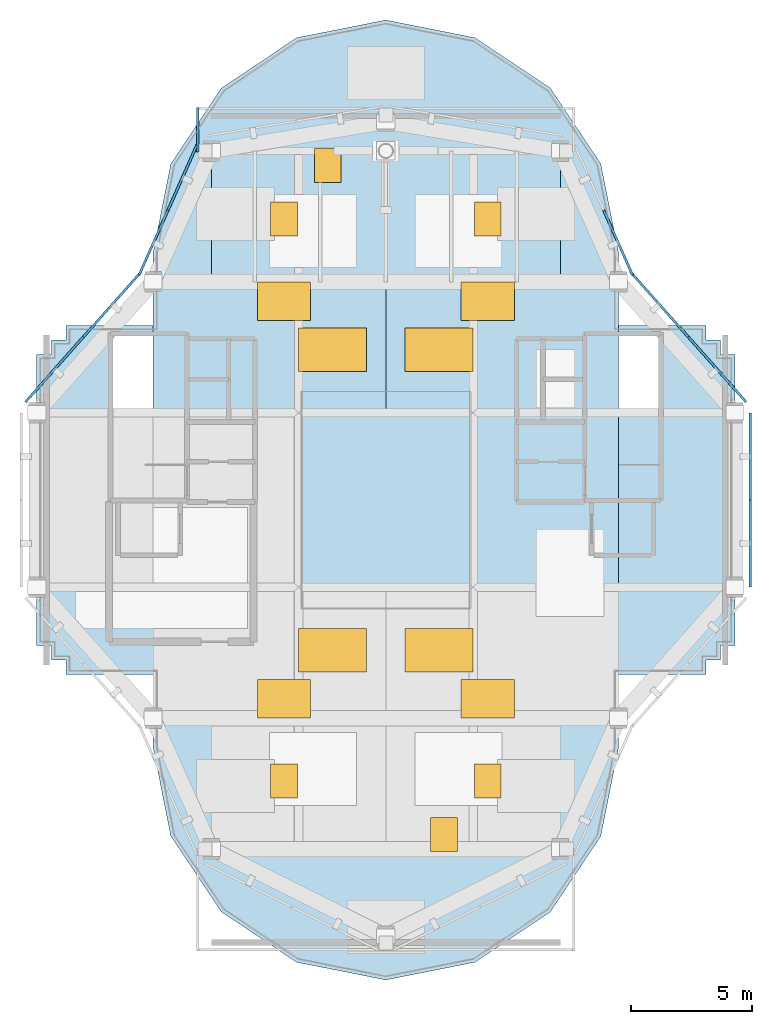
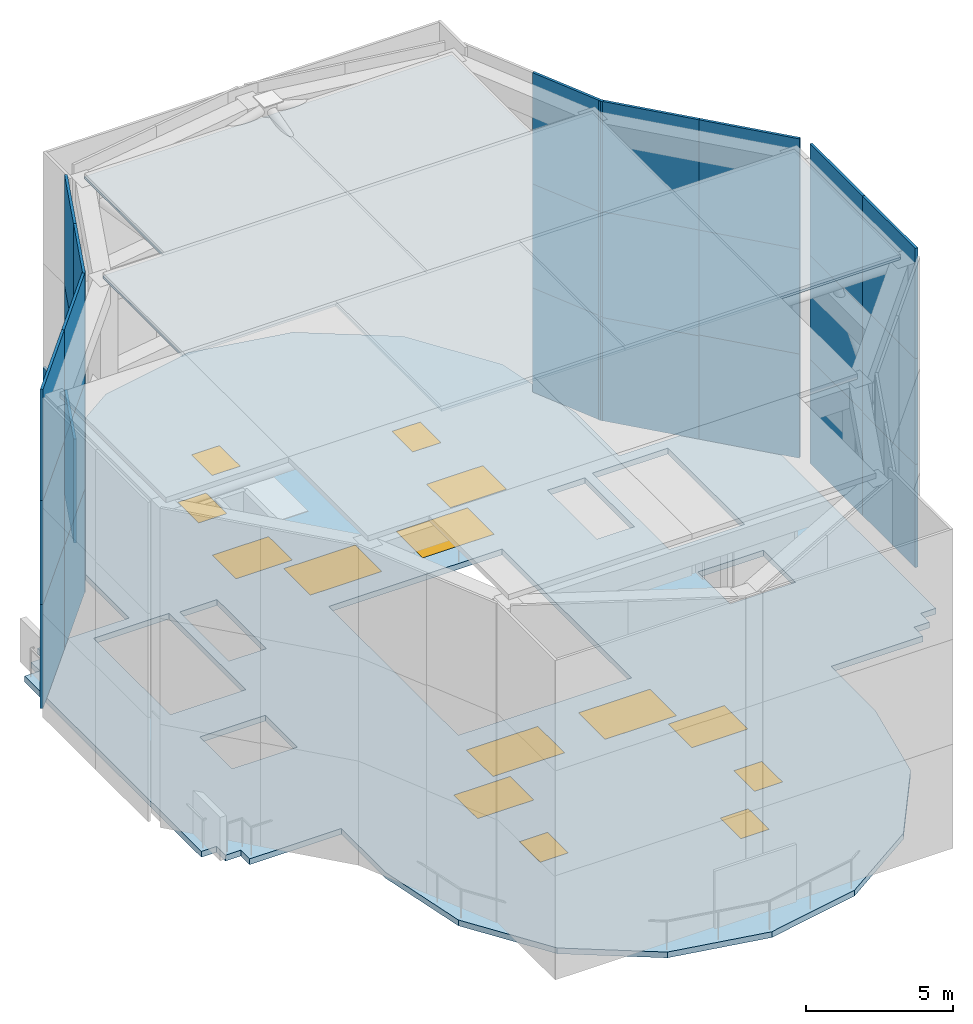
# One storey, part 3 of 8: 35 plates, 8 windows, 6 doors, 1 slab, 14 openings.
"""IFC4 building model written with IfcOpenShell, lengths in metres."""

from ifc_helpers import new_model, si_unit, direction, frame, origin, origin_2d, place, context, subcontext, project, spatial, polyline, rectangle, outline, extrude, source, transform, mapped, material, layer, layer_set, type_object, element, fill, save


model = new_model("IFC4")

# Units and contexts
model_context = context("Model", 3, precision=1e-05, world=origin(), true_north=direction((0.0, 1.0)))
body_context = subcontext(model_context, "Body", "Model", "MODEL_VIEW")
ifc_project = project(units=[si_unit("LENGTHUNIT", "METRE"), si_unit("AREAUNIT", "SQUARE_METRE"), si_unit("VOLUMEUNIT", "CUBIC_METRE"), si_unit("PLANEANGLEUNIT", "RADIAN"), si_unit("MASSUNIT", "GRAM", prefix="KILO")], contexts=[model_context])

# Site, building, storey
site_placement = place(None, origin())
site = spatial("IfcSite", under=ifc_project, at=site_placement, CompositionType="ELEMENT")
building_placement = place(site_placement, origin())
building = spatial("IfcBuilding", under=site, at=building_placement, Name="Keilestroom Media Tower", CompositionType="ELEMENT")
storey_placement = place(building_placement, frame((0.0, 0.0, 271.60009765625)))
storey = spatial("IfcBuildingStorey", under=building, at=storey_placement, Name="Roof", CompositionType="ELEMENT", Elevation=271.60009765625)

# Slab, openings, windows, doors
ifc_material_1 = material(Name="Concrete C50/60", Category="concrete")
ifc_layer_1 = layer(ifc_material_1, 0.239990234375)
ifc_layer_set_1 = layer_set([ifc_layer_1], Name="Concrete C50/60")
slab_type = type_object("IfcSlabType", Name="Roof-Slab-240", PredefinedType="ROOF", material=ifc_layer_set_1)
slab_placement = place(storey_placement, frame((0.0, 0.0, -0.239990234375)))
slab = element("IfcSlab", 1, at=slab_placement, inside=storey, type_object=slab_type, Name="Main Tower Roof Deck Slab", PredefinedType="ROOF", context=body_context, shape_type="SweptSolid", body=[
    extrude(outline(polyline([(14.39990234375, -6.0), (14.39990234375, 6.0), (13.800048828125, 6.0), (13.800048828125, 6.60009765625), (13.199951171875, 6.60009765625), (13.199951171875, 7.199951171875), (9.60009765625, 7.199951171875), (9.60009765625, 9.60009765625), (9.60009765625, 10.199951171875), (8.869140625, 13.873779296875), (6.7880859375, 16.98828125), (3.673828125, 19.069091796875), (0.0, 19.800048828125), (-3.673828125, 19.069091796875), (-6.7880859375, 16.98828125), (-8.869140625, 13.873779296875), (-9.60009765625, 10.199951171875), (-9.60009765625, 9.60009765625), (-9.60009765625, 7.199951171875), (-13.199951171875, 7.199951171875), (-13.199951171875, 6.60009765625), (-13.800048828125, 6.60009765625), (-13.800048828125, 6.0), (-14.39990234375, 6.0), (-14.39990234375, -6.0), (-13.800048828125, -6.0), (-13.800048828125, -6.60009765625), (-13.199951171875, -6.60009765625), (-13.199951171875, -7.199951171875), (-9.60009765625, -7.199951171875), (-9.60009765625, -9.60009765625), (-9.60009765625, -10.199951171875), (-8.869140625, -13.873779296875), (-6.7880859375, -16.98828125), (-3.673828125, -19.069091796875), (0.0, -19.800048828125), (3.673828125, -19.069091796875), (6.7880859375, -16.98828125), (8.869140625, -13.873779296875), (9.60009765625, -10.199951171875), (9.60009765625, -9.60009765625), (9.60009765625, -7.199951171875), (13.199951171875, -7.199951171875), (13.199951171875, -6.60009765625), (13.800048828125, -6.60009765625), (13.800048828125, -6.0), (14.39990234375, -6.0)]), holes=[polyline([(-8.300048828125, 1.544921875), (-11.260009765625, 1.544921875), (-11.260009765625, 6.760009765625), (-8.300048828125, 6.760009765625), (-8.300048828125, 1.544921875)]), polyline([(-8.47998046875, -2.280029296875), (-11.050048828125, -2.280029296875), (-11.050048828125, -0.10009765625), (-8.47998046875, -0.10009765625), (-8.47998046875, -2.280029296875)]), polyline([(-6.47998046875, 3.300048828125), (-7.949951171875, 3.300048828125), (-7.949951171875, 6.64990234375), (-6.47998046875, 6.64990234375), (-6.47998046875, 3.300048828125)]), polyline([(3.39990234375, -4.39990234375), (-3.39990234375, -4.39990234375), (-3.39990234375, 4.39990234375), (3.39990234375, 4.39990234375), (3.39990234375, -4.39990234375)]), polyline([(7.949951171875, 3.300048828125), (6.47998046875, 3.300048828125), (6.47998046875, 6.64990234375), (7.949951171875, 6.64990234375), (7.949951171875, 3.300048828125)]), polyline([(11.260009765625, 1.544921875), (8.300048828125, 1.544921875), (8.300048828125, 6.760009765625), (11.260009765625, 6.760009765625), (11.260009765625, 1.544921875)]), polyline([(11.050048828125, -2.280029296875), (8.47998046875, -2.280029296875), (8.47998046875, -0.10009765625), (11.050048828125, -0.10009765625), (11.050048828125, -2.280029296875)])]), origin(), (0.0, 0.0, 1.0), 0.239990234375),
])
opening_1_placement = place(slab_placement, frame((-4.199951171875, 11.60009765625, 0.0)))
opening_1 = element("IfcOpeningElement", 2, at=opening_1_placement, cuts=slab, Name="Opening RH-01", PredefinedType="OPENING", context=body_context, shape_type="SweptSolid", body=[
    extrude(rectangle(XDim=1.10009765625, YDim=1.39990234375, at=origin_2d()), origin(), (0.0, 0.0, 1.0), 0.239990234375),
])
opening_2_placement = place(slab_placement, frame((4.199951171875, 11.60009765625, 0.0)))
opening_2 = element("IfcOpeningElement", 3, at=opening_2_placement, cuts=slab, Name="Opening RH-01", PredefinedType="OPENING", context=body_context, shape_type="SweptSolid", body=[
    extrude(rectangle(XDim=1.10009765625, YDim=1.39990234375, at=origin_2d()), origin(), (0.0, 0.0, 1.0), 0.239990234375),
])
opening_3_placement = place(slab_placement, frame((-4.199951171875, -11.60009765625, 0.0)))
opening_3 = element("IfcOpeningElement", 4, at=opening_3_placement, cuts=slab, Name="Opening RH-01", PredefinedType="OPENING", context=body_context, shape_type="SweptSolid", body=[
    extrude(rectangle(XDim=1.10009765625, YDim=1.39990234375, at=origin_2d()), origin(), (0.0, 0.0, 1.0), 0.239990234375),
])
opening_4_placement = place(slab_placement, frame((4.199951171875, -11.60009765625, 0.0)))
opening_4 = element("IfcOpeningElement", 5, at=opening_4_placement, cuts=slab, Name="Opening RH-01", PredefinedType="OPENING", context=body_context, shape_type="SweptSolid", body=[
    extrude(rectangle(XDim=1.10009765625, YDim=1.39990234375, at=origin_2d()), origin(), (0.0, 0.0, 1.0), 0.239990234375),
])
opening_5_placement = place(slab_placement, frame((-2.39990234375, 13.800048828125, 0.0)))
opening_5 = element("IfcOpeningElement", 6, at=opening_5_placement, cuts=slab, Name="Opening RH-01", PredefinedType="OPENING", context=body_context, shape_type="SweptSolid", body=[
    extrude(rectangle(XDim=1.10009765625, YDim=1.39990234375, at=origin_2d()), origin(), (0.0, 0.0, 1.0), 0.239990234375),
])
opening_6_placement = place(slab_placement, frame((2.39990234375, -13.800048828125, 0.0)))
opening_6 = element("IfcOpeningElement", 7, at=opening_6_placement, cuts=slab, Name="Opening RH-01", PredefinedType="OPENING", context=body_context, shape_type="SweptSolid", body=[
    extrude(rectangle(XDim=1.10009765625, YDim=1.39990234375, at=origin_2d()), origin(), (0.0, 0.0, 1.0), 0.239990234375),
])
opening_7_placement = place(slab_placement, frame((-2.199951171875, 6.199951171875, 0.0)))
opening_7 = element("IfcOpeningElement", 8, at=opening_7_placement, cuts=slab, Name="Opening SKL-01", PredefinedType="OPENING", context=body_context, shape_type="SweptSolid", body=[
    extrude(rectangle(XDim=2.800048828125, YDim=1.800048828125, at=origin_2d()), origin(), (0.0, 0.0, 1.0), 0.239990234375),
])
opening_8_placement = place(slab_placement, frame((2.199951171875, 6.199951171875, 0.0)))
opening_8 = element("IfcOpeningElement", 9, at=opening_8_placement, cuts=slab, Name="Opening SKL-01", PredefinedType="OPENING", context=body_context, shape_type="SweptSolid", body=[
    extrude(rectangle(XDim=2.800048828125, YDim=1.800048828125, at=origin_2d()), origin(), (0.0, 0.0, 1.0), 0.239990234375),
])
opening_9_placement = place(slab_placement, frame((-2.199951171875, -6.199951171875, 0.0)))
opening_9 = element("IfcOpeningElement", 10, at=opening_9_placement, cuts=slab, Name="Opening SKL-01", PredefinedType="OPENING", context=body_context, shape_type="SweptSolid", body=[
    extrude(rectangle(XDim=2.800048828125, YDim=1.800048828125, at=origin_2d()), origin(), (0.0, 0.0, 1.0), 0.239990234375),
])
opening_10_placement = place(slab_placement, frame((2.199951171875, -6.199951171875, 0.0)))
opening_10 = element("IfcOpeningElement", 11, at=opening_10_placement, cuts=slab, Name="Opening SKL-01", PredefinedType="OPENING", context=body_context, shape_type="SweptSolid", body=[
    extrude(rectangle(XDim=2.800048828125, YDim=1.800048828125, at=origin_2d()), origin(), (0.0, 0.0, 1.0), 0.239990234375),
])
opening_11_placement = place(slab_placement, frame((-4.199951171875, 8.199951171875, 0.0)))
opening_11 = element("IfcOpeningElement", 12, at=opening_11_placement, cuts=slab, Name="Opening SKL-02", PredefinedType="OPENING", context=body_context, shape_type="SweptSolid", body=[
    extrude(rectangle(XDim=2.199951171875, YDim=1.60009765625, at=origin_2d()), origin(), (0.0, 0.0, 1.0), 0.239990234375),
])
opening_12_placement = place(slab_placement, frame((4.199951171875, 8.199951171875, 0.0)))
opening_12 = element("IfcOpeningElement", 13, at=opening_12_placement, cuts=slab, Name="Opening SKL-02", PredefinedType="OPENING", context=body_context, shape_type="SweptSolid", body=[
    extrude(rectangle(XDim=2.199951171875, YDim=1.60009765625, at=origin_2d()), origin(), (0.0, 0.0, 1.0), 0.239990234375),
])
opening_13_placement = place(slab_placement, frame((-4.199951171875, -8.199951171875, 0.0)))
opening_13 = element("IfcOpeningElement", 14, at=opening_13_placement, cuts=slab, Name="Opening SKL-02", PredefinedType="OPENING", context=body_context, shape_type="SweptSolid", body=[
    extrude(rectangle(XDim=2.199951171875, YDim=1.60009765625, at=origin_2d()), origin(), (0.0, 0.0, 1.0), 0.239990234375),
])
opening_14_placement = place(slab_placement, frame((4.199951171875, -8.199951171875, 0.0)))
opening_14 = element("IfcOpeningElement", 15, at=opening_14_placement, cuts=slab, Name="Opening SKL-02", PredefinedType="OPENING", context=body_context, shape_type="SweptSolid", body=[
    extrude(rectangle(XDim=2.199951171875, YDim=1.60009765625, at=origin_2d()), origin(), (0.0, 0.0, 1.0), 0.239990234375),
])
ifc_material_2 = material(Name="Laminated Safety Skylight Glazing", Category="glass")
window_type_1 = type_object("IfcWindowType", Name="Atrium-Roof-Skylight-SKL-01", PartitioningType="SINGLE_PANEL", PredefinedType="SKYLIGHT", material=ifc_material_2)
window_1_placement = place(opening_7_placement, frame((0.0, 0.0, 0.199951171875)))
window_1 = element("IfcWindow", 16, at=window_1_placement, inside=storey, type_object=window_type_1, Name="Atrium Roof Skylight SKL-01 01", OverallHeight=1.800048828125, OverallWidth=2.800048828125, PartitioningType="SINGLE_PANEL", PredefinedType="SKYLIGHT", context=body_context, shape_type="SweptSolid", body=[
    extrude(rectangle(XDim=2.800048828125, YDim=1.800048828125, at=origin_2d()), origin(), (0.0, 0.0, 1.0), 0.0400390625),
])
fill(opening_7, window_1)
window_2_placement = place(opening_8_placement, frame((0.0, 0.0, 0.199951171875)))
window_2 = element("IfcWindow", 17, at=window_2_placement, inside=storey, type_object=window_type_1, Name="Atrium Roof Skylight SKL-01 02", OverallHeight=1.800048828125, OverallWidth=2.800048828125, PartitioningType="SINGLE_PANEL", PredefinedType="SKYLIGHT", context=body_context, shape_type="SweptSolid", body=[
    extrude(rectangle(XDim=2.800048828125, YDim=1.800048828125, at=origin_2d()), origin(), (0.0, 0.0, 1.0), 0.0400390625),
])
fill(opening_8, window_2)
window_3_placement = place(opening_9_placement, frame((0.0, 0.0, 0.199951171875)))
window_3 = element("IfcWindow", 18, at=window_3_placement, inside=storey, type_object=window_type_1, Name="Atrium Roof Skylight SKL-01 03", OverallHeight=1.800048828125, OverallWidth=2.800048828125, PartitioningType="SINGLE_PANEL", PredefinedType="SKYLIGHT", context=body_context, shape_type="SweptSolid", body=[
    extrude(rectangle(XDim=2.800048828125, YDim=1.800048828125, at=origin_2d()), origin(), (0.0, 0.0, 1.0), 0.0400390625),
])
fill(opening_9, window_3)
window_4_placement = place(opening_10_placement, frame((0.0, 0.0, 0.199951171875)))
window_4 = element("IfcWindow", 19, at=window_4_placement, inside=storey, type_object=window_type_1, Name="Atrium Roof Skylight SKL-01 04", OverallHeight=1.800048828125, OverallWidth=2.800048828125, PartitioningType="SINGLE_PANEL", PredefinedType="SKYLIGHT", context=body_context, shape_type="SweptSolid", body=[
    extrude(rectangle(XDim=2.800048828125, YDim=1.800048828125, at=origin_2d()), origin(), (0.0, 0.0, 1.0), 0.0400390625),
])
fill(opening_10, window_4)
window_type_2 = type_object("IfcWindowType", Name="Atrium-Roof-Skylight-SKL-02", PartitioningType="SINGLE_PANEL", PredefinedType="SKYLIGHT", material=ifc_material_2)
window_5_placement = place(opening_11_placement, frame((0.0, 0.0, 0.199951171875)))
window_5 = element("IfcWindow", 20, at=window_5_placement, inside=storey, type_object=window_type_2, Name="Atrium Roof Skylight SKL-02 05", OverallHeight=1.60009765625, OverallWidth=2.199951171875, PartitioningType="SINGLE_PANEL", PredefinedType="SKYLIGHT", context=body_context, shape_type="SweptSolid", body=[
    extrude(rectangle(XDim=2.199951171875, YDim=1.60009765625, at=origin_2d()), origin(), (0.0, 0.0, 1.0), 0.0400390625),
])
fill(opening_11, window_5)
window_6_placement = place(opening_12_placement, frame((0.0, 0.0, 0.199951171875)))
window_6 = element("IfcWindow", 21, at=window_6_placement, inside=storey, type_object=window_type_2, Name="Atrium Roof Skylight SKL-02 06", OverallHeight=1.60009765625, OverallWidth=2.199951171875, PartitioningType="SINGLE_PANEL", PredefinedType="SKYLIGHT", context=body_context, shape_type="SweptSolid", body=[
    extrude(rectangle(XDim=2.199951171875, YDim=1.60009765625, at=origin_2d()), origin(), (0.0, 0.0, 1.0), 0.0400390625),
])
fill(opening_12, window_6)
window_7_placement = place(opening_13_placement, frame((0.0, 0.0, 0.199951171875)))
window_7 = element("IfcWindow", 22, at=window_7_placement, inside=storey, type_object=window_type_2, Name="Atrium Roof Skylight SKL-02 07", OverallHeight=1.60009765625, OverallWidth=2.199951171875, PartitioningType="SINGLE_PANEL", PredefinedType="SKYLIGHT", context=body_context, shape_type="SweptSolid", body=[
    extrude(rectangle(XDim=2.199951171875, YDim=1.60009765625, at=origin_2d()), origin(), (0.0, 0.0, 1.0), 0.0400390625),
])
fill(opening_13, window_7)
window_8_placement = place(opening_14_placement, frame((0.0, 0.0, 0.199951171875)))
window_8 = element("IfcWindow", 23, at=window_8_placement, inside=storey, type_object=window_type_2, Name="Atrium Roof Skylight SKL-02 08", OverallHeight=1.60009765625, OverallWidth=2.199951171875, PartitioningType="SINGLE_PANEL", PredefinedType="SKYLIGHT", context=body_context, shape_type="SweptSolid", body=[
    extrude(rectangle(XDim=2.199951171875, YDim=1.60009765625, at=origin_2d()), origin(), (0.0, 0.0, 1.0), 0.0400390625),
])
fill(opening_14, window_8)
ifc_material_3 = material(Name="Insulated Aluminium Roof Hatch", Category="aluminium")
door_type = type_object("IfcDoorType", Name="Roof-Maintenance-Access-Hatch-RH-01", OperationType="SINGLE_SWING_LEFT", PredefinedType="TRAPDOOR", material=ifc_material_3)
door_1_placement = place(opening_1_placement, frame((0.0, 0.0, 0.199951171875)))
door_1 = element("IfcDoor", 24, at=door_1_placement, inside=storey, type_object=door_type, Name="Roof Maintenance Access Hatch RH-01 01", OperationType="SINGLE_SWING_LEFT", OverallHeight=1.39990234375, OverallWidth=1.10009765625, PredefinedType="TRAPDOOR", context=body_context, shape_type="SweptSolid", body=[
    extrude(rectangle(XDim=1.10009765625, YDim=1.39990234375, at=origin_2d()), origin(), (0.0, 0.0, 1.0), 0.0400390625),
])
fill(opening_1, door_1)
door_2_placement = place(opening_2_placement, frame((0.0, 0.0, 0.199951171875)))
door_2 = element("IfcDoor", 25, at=door_2_placement, inside=storey, type_object=door_type, Name="Roof Maintenance Access Hatch RH-01 02", OperationType="SINGLE_SWING_LEFT", OverallHeight=1.39990234375, OverallWidth=1.10009765625, PredefinedType="TRAPDOOR", context=body_context, shape_type="SweptSolid", body=[
    extrude(rectangle(XDim=1.10009765625, YDim=1.39990234375, at=origin_2d()), origin(), (0.0, 0.0, 1.0), 0.0400390625),
])
fill(opening_2, door_2)
door_3_placement = place(opening_3_placement, frame((0.0, 0.0, 0.199951171875)))
door_3 = element("IfcDoor", 26, at=door_3_placement, inside=storey, type_object=door_type, Name="Roof Maintenance Access Hatch RH-01 03", OperationType="SINGLE_SWING_LEFT", OverallHeight=1.39990234375, OverallWidth=1.10009765625, PredefinedType="TRAPDOOR", context=body_context, shape_type="SweptSolid", body=[
    extrude(rectangle(XDim=1.10009765625, YDim=1.39990234375, at=origin_2d()), origin(), (0.0, 0.0, 1.0), 0.0400390625),
])
fill(opening_3, door_3)
door_4_placement = place(opening_4_placement, frame((0.0, 0.0, 0.199951171875)))
door_4 = element("IfcDoor", 27, at=door_4_placement, inside=storey, type_object=door_type, Name="Roof Maintenance Access Hatch RH-01 04", OperationType="SINGLE_SWING_LEFT", OverallHeight=1.39990234375, OverallWidth=1.10009765625, PredefinedType="TRAPDOOR", context=body_context, shape_type="SweptSolid", body=[
    extrude(rectangle(XDim=1.10009765625, YDim=1.39990234375, at=origin_2d()), origin(), (0.0, 0.0, 1.0), 0.0400390625),
])
fill(opening_4, door_4)
door_5_placement = place(opening_5_placement, frame((0.0, 0.0, 0.199951171875)))
door_5 = element("IfcDoor", 28, at=door_5_placement, inside=storey, type_object=door_type, Name="Roof Maintenance Access Hatch RH-01 05", OperationType="SINGLE_SWING_LEFT", OverallHeight=1.39990234375, OverallWidth=1.10009765625, PredefinedType="TRAPDOOR", context=body_context, shape_type="SweptSolid", body=[
    extrude(rectangle(XDim=1.10009765625, YDim=1.39990234375, at=origin_2d()), origin(), (0.0, 0.0, 1.0), 0.0400390625),
])
fill(opening_5, door_5)
door_6_placement = place(opening_6_placement, frame((0.0, 0.0, 0.199951171875)))
door_6 = element("IfcDoor", 29, at=door_6_placement, inside=storey, type_object=door_type, Name="Roof Maintenance Access Hatch RH-01 06", OperationType="SINGLE_SWING_LEFT", OverallHeight=1.39990234375, OverallWidth=1.10009765625, PredefinedType="TRAPDOOR", context=body_context, shape_type="SweptSolid", body=[
    extrude(rectangle(XDim=1.10009765625, YDim=1.39990234375, at=origin_2d()), origin(), (0.0, 0.0, 1.0), 0.0400390625),
])
fill(opening_6, door_6)

# Plates
ifc_material_4 = material(Name="Bronze Anodised Aluminium", Category="aluminium")
ifc_layer_2 = layer(ifc_material_4, 0.10009765625)
ifc_layer_set_2 = layer_set([ifc_layer_2], Name="Bronze Anodised Aluminium")
plate_type = type_object("IfcPlateType", Name="Crown-Louvre-Screen-Panel-100", PredefinedType="USERDEFINED", material=ifc_layer_set_2)
shared_shape_1 = source(origin(), body_context, "Body", "SweptSolid", [
    extrude(rectangle(XDim=3.580078125, YDim=0.10009765625, at=origin_2d()), origin(), (0.0, 0.0, 1.0), 4.320068359375),
])
for number, where, z_axis, x_axis, name in (
    (30, (15.0400390625, 1.7900390625, 0.0), (0.0, 0.0, 1.0), (0.0, -1.0, 0.0), "Crown Louvre Screen Panel 08.1.1"),
    (31, (15.0400390625, -1.7900390625, 0.0), (0.0, 0.0, 1.0), (0.0, -1.0, 0.0), "Crown Louvre Screen Panel 08.2.1"),
):
    element("IfcPlate", number, at=place(storey_placement, frame(where, z_axis=z_axis, x_axis=x_axis)), inside=storey, type_object=plate_type, Name=name, ObjectType="SCREEN", PredefinedType="USERDEFINED", context=body_context, shape_type="MappedRepresentation", body=[
        mapped(shared_shape_1, transform((0.0, 0.0, 0.0), x_axis=(1.0, 0.0, 0.0), y_axis=(0.0, 1.0, 0.0), z_axis=(0.0, 0.0, 1.0), scale=1.0)),
    ])
shared_shape_2 = source(origin(), body_context, "Body", "SweptSolid", [
    extrude(rectangle(XDim=3.580078125, YDim=0.10009765625, at=origin_2d()), origin(), (0.0, 0.0, 1.0), 4.389892578125),
])
for number, where, z_axis, x_axis, name in (
    (32, (15.0400390625, 1.7900390625, 4.27978515625), (0.0, 0.0, 1.0), (0.0, -1.0, 0.0), "Crown Louvre Screen Panel 08.1.2"),
    (33, (15.0400390625, -1.7900390625, 4.27978515625), (0.0, 0.0, 1.0), (0.0, -1.0, 0.0), "Crown Louvre Screen Panel 08.2.2"),
):
    element("IfcPlate", number, at=place(storey_placement, frame(where, z_axis=z_axis, x_axis=x_axis)), inside=storey, type_object=plate_type, Name=name, ObjectType="SCREEN", PredefinedType="USERDEFINED", context=body_context, shape_type="MappedRepresentation", body=[
        mapped(shared_shape_2, transform((0.0, 0.0, 0.0), x_axis=(1.0, 0.0, 0.0), y_axis=(0.0, 1.0, 0.0), z_axis=(0.0, 0.0, 1.0), scale=1.0)),
    ])
shared_shape_3 = source(origin(), body_context, "Body", "SweptSolid", [
    extrude(rectangle(XDim=3.580078125, YDim=0.10009765625, at=origin_2d()), origin(), (0.0, 0.0, 1.0), 4.610107421875),
])
for number, where, z_axis, x_axis, name in (
    (34, (15.0400390625, 1.7900390625, 8.6298828125), (0.0, 0.0, 1.0), (0.0, -1.0, 0.0), "Crown Louvre Screen Panel 08.1.3"),
    (35, (15.0400390625, -1.7900390625, 8.6298828125), (0.0, 0.0, 1.0), (0.0, -1.0, 0.0), "Crown Louvre Screen Panel 08.2.3"),
):
    element("IfcPlate", number, at=place(storey_placement, frame(where, z_axis=z_axis, x_axis=x_axis)), inside=storey, type_object=plate_type, Name=name, ObjectType="SCREEN", PredefinedType="USERDEFINED", context=body_context, shape_type="MappedRepresentation", body=[
        mapped(shared_shape_3, transform((0.0, 0.0, 0.0), x_axis=(1.0, 0.0, 0.0), y_axis=(0.0, 1.0, 0.0), z_axis=(0.0, 0.0, 1.0), scale=1.0)),
    ])
shared_shape_4 = source(origin(), body_context, "Body", "SweptSolid", [
    extrude(rectangle(XDim=3.592041015625, YDim=0.10009765625, at=origin_2d()), origin(), (0.0, 0.0, 1.0), 4.320068359375),
])
for number, where, z_axis, x_axis, name in (
    (36, (-13.671630859375, 5.3828125, 0.0), (0.0, 0.0, 1.0), (0.664363325694, 0.747409774804, 0.0), "Crown Louvre Screen Panel 02.1.1"),
    (37, (-11.284912109375, 8.067626953125, 0.0), (0.0, 0.0, 1.0), (0.664363325694, 0.747409774804, 0.0), "Crown Louvre Screen Panel 02.2.1"),
    (38, (11.284912109375, 8.067626953125, 0.0), (0.0, 0.0, 1.0), (0.664363325694, -0.747409774804, 0.0), "Crown Louvre Screen Panel 07.1.1"),
    (39, (13.671630859375, 5.3828125, 0.0), (0.0, 0.0, 1.0), (0.664363325694, -0.747409774804, 0.0), "Crown Louvre Screen Panel 07.2.1"),
):
    element("IfcPlate", number, at=place(storey_placement, frame(where, z_axis=z_axis, x_axis=x_axis)), inside=storey, type_object=plate_type, Name=name, ObjectType="SCREEN", PredefinedType="USERDEFINED", context=body_context, shape_type="MappedRepresentation", body=[
        mapped(shared_shape_4, transform((0.0, 0.0, 0.0), x_axis=(1.0, 0.0, 0.0), y_axis=(0.0, 1.0, 0.0), z_axis=(0.0, 0.0, 1.0), scale=1.0)),
    ])
shared_shape_5 = source(origin(), body_context, "Body", "SweptSolid", [
    extrude(rectangle(XDim=3.592041015625, YDim=0.10009765625, at=origin_2d()), origin(), (0.0, 0.0, 1.0), 4.389892578125),
])
for number, where, z_axis, x_axis, name in (
    (40, (-13.671630859375, 5.3828125, 4.27978515625), (0.0, 0.0, 1.0), (0.664363325694, 0.747409774804, 0.0), "Crown Louvre Screen Panel 02.1.2"),
    (41, (-11.284912109375, 8.067626953125, 4.27978515625), (0.0, 0.0, 1.0), (0.664363325694, 0.747409774804, 0.0), "Crown Louvre Screen Panel 02.2.2"),
    (42, (11.284912109375, 8.067626953125, 4.27978515625), (0.0, 0.0, 1.0), (0.664363325694, -0.747409774804, 0.0), "Crown Louvre Screen Panel 07.1.2"),
    (43, (13.671630859375, 5.3828125, 4.27978515625), (0.0, 0.0, 1.0), (0.664363325694, -0.747409774804, 0.0), "Crown Louvre Screen Panel 07.2.2"),
):
    element("IfcPlate", number, at=place(storey_placement, frame(where, z_axis=z_axis, x_axis=x_axis)), inside=storey, type_object=plate_type, Name=name, ObjectType="SCREEN", PredefinedType="USERDEFINED", context=body_context, shape_type="MappedRepresentation", body=[
        mapped(shared_shape_5, transform((0.0, 0.0, 0.0), x_axis=(1.0, 0.0, 0.0), y_axis=(0.0, 1.0, 0.0), z_axis=(0.0, 0.0, 1.0), scale=1.0)),
    ])
shared_shape_6 = source(origin(), body_context, "Body", "SweptSolid", [
    extrude(rectangle(XDim=3.592041015625, YDim=0.10009765625, at=origin_2d()), origin(), (0.0, 0.0, 1.0), 4.610107421875),
])
for number, where, z_axis, x_axis, name in (
    (44, (-13.671630859375, 5.3828125, 8.6298828125), (0.0, 0.0, 1.0), (0.664363325694, 0.747409774804, 0.0), "Crown Louvre Screen Panel 02.1.3"),
    (45, (-11.284912109375, 8.067626953125, 8.6298828125), (0.0, 0.0, 1.0), (0.664363325694, 0.747409774804, 0.0), "Crown Louvre Screen Panel 02.2.3"),
    (46, (11.284912109375, 8.067626953125, 8.6298828125), (0.0, 0.0, 1.0), (0.664363325694, -0.747409774804, 0.0), "Crown Louvre Screen Panel 07.1.3"),
    (47, (13.671630859375, 5.3828125, 8.6298828125), (0.0, 0.0, 1.0), (0.664363325694, -0.747409774804, 0.0), "Crown Louvre Screen Panel 07.2.3"),
):
    element("IfcPlate", number, at=place(storey_placement, frame(where, z_axis=z_axis, x_axis=x_axis)), inside=storey, type_object=plate_type, Name=name, ObjectType="SCREEN", PredefinedType="USERDEFINED", context=body_context, shape_type="MappedRepresentation", body=[
        mapped(shared_shape_6, transform((0.0, 0.0, 0.0), x_axis=(1.0, 0.0, 0.0), y_axis=(0.0, 1.0, 0.0), z_axis=(0.0, 0.0, 1.0), scale=1.0)),
    ])
shared_shape_7 = source(origin(), body_context, "Body", "SweptSolid", [
    extrude(rectangle(XDim=2.93505859375, YDim=0.10009765625, at=origin_2d()), origin(), (0.0, 0.0, 1.0), 4.320068359375),
])
for number, where, z_axis, x_axis, name in (
    (48, (-9.580810546875, 10.619140625, 0.0), (0.0, 0.0, 1.0), (0.406138641898, 0.913811470467, 0.0), "Crown Louvre Screen Panel 03.1.1"),
    (49, (-8.388916015625, 13.30078125, 0.0), (0.0, 0.0, 1.0), (0.406138641898, 0.913811470467, 0.0), "Crown Louvre Screen Panel 03.2.1"),
    (50, (9.580810546875, 10.619140625, 0.0), (0.0, 0.0, 1.0), (0.406138641898, -0.913811470467, 0.0), "Crown Louvre Screen Panel 06.2.1"),
):
    element("IfcPlate", number, at=place(storey_placement, frame(where, z_axis=z_axis, x_axis=x_axis)), inside=storey, type_object=plate_type, Name=name, ObjectType="SCREEN", PredefinedType="USERDEFINED", context=body_context, shape_type="MappedRepresentation", body=[
        mapped(shared_shape_7, transform((0.0, 0.0, 0.0), x_axis=(1.0, 0.0, 0.0), y_axis=(0.0, 1.0, 0.0), z_axis=(0.0, 0.0, 1.0), scale=1.0)),
    ])
shared_shape_8 = source(origin(), body_context, "Body", "SweptSolid", [
    extrude(rectangle(XDim=2.93505859375, YDim=0.10009765625, at=origin_2d()), origin(), (0.0, 0.0, 1.0), 4.389892578125),
])
for number, where, z_axis, x_axis, name in (
    (51, (-9.580810546875, 10.619140625, 4.27978515625), (0.0, 0.0, 1.0), (0.406138641898, 0.913811470467, 0.0), "Crown Louvre Screen Panel 03.1.2"),
    (52, (-8.388916015625, 13.30078125, 4.27978515625), (0.0, 0.0, 1.0), (0.406138641898, 0.913811470467, 0.0), "Crown Louvre Screen Panel 03.2.2"),
    (53, (9.580810546875, 10.619140625, 4.27978515625), (0.0, 0.0, 1.0), (0.406138641898, -0.913811470467, 0.0), "Crown Louvre Screen Panel 06.2.2"),
):
    element("IfcPlate", number, at=place(storey_placement, frame(where, z_axis=z_axis, x_axis=x_axis)), inside=storey, type_object=plate_type, Name=name, ObjectType="SCREEN", PredefinedType="USERDEFINED", context=body_context, shape_type="MappedRepresentation", body=[
        mapped(shared_shape_8, transform((0.0, 0.0, 0.0), x_axis=(1.0, 0.0, 0.0), y_axis=(0.0, 1.0, 0.0), z_axis=(0.0, 0.0, 1.0), scale=1.0)),
    ])
shared_shape_9 = source(origin(), body_context, "Body", "SweptSolid", [
    extrude(rectangle(XDim=2.93505859375, YDim=0.10009765625, at=origin_2d()), origin(), (0.0, 0.0, 1.0), 4.610107421875),
])
for number, where, z_axis, x_axis, name in (
    (54, (-9.580810546875, 10.619140625, 8.6298828125), (0.0, 0.0, 1.0), (0.406138641898, 0.913811470467, 0.0), "Crown Louvre Screen Panel 03.1.3"),
    (55, (-8.388916015625, 13.30078125, 8.6298828125), (0.0, 0.0, 1.0), (0.406138641898, 0.913811470467, 0.0), "Crown Louvre Screen Panel 03.2.3"),
    (56, (9.580810546875, 10.619140625, 8.6298828125), (0.0, 0.0, 1.0), (0.406138641898, -0.913811470467, 0.0), "Crown Louvre Screen Panel 06.2.3"),
):
    element("IfcPlate", number, at=place(storey_placement, frame(where, z_axis=z_axis, x_axis=x_axis)), inside=storey, type_object=plate_type, Name=name, ObjectType="SCREEN", PredefinedType="USERDEFINED", context=body_context, shape_type="MappedRepresentation", body=[
        mapped(shared_shape_9, transform((0.0, 0.0, 0.0), x_axis=(1.0, 0.0, 0.0), y_axis=(0.0, 1.0, 0.0), z_axis=(0.0, 0.0, 1.0), scale=1.0)),
    ])
shared_shape_10 = source(origin(), body_context, "Body", "SweptSolid", [
    extrude(rectangle(XDim=1.830078125, YDim=0.10009765625, at=origin_2d()), origin(), (0.0, 0.0, 1.0), 4.320068359375),
])
plate_1_placement = place(storey_placement, frame((-7.75, 15.27490234375, 0.0), z_axis=(0.0, 0.0, 1.0), x_axis=(0.0, 1.0, 0.0)))
element("IfcPlate", 57, at=plate_1_placement, inside=storey, type_object=plate_type, Name="Crown Shoulder Louvre Return 1.1", ObjectType="SCREEN", PredefinedType="USERDEFINED", context=body_context, shape_type="MappedRepresentation", body=[
    mapped(shared_shape_10, transform((0.0, 0.0, 0.0), x_axis=(1.0, 0.0, 0.0), y_axis=(0.0, 1.0, 0.0), z_axis=(0.0, 0.0, 1.0), scale=1.0)),
])
shared_shape_11 = source(origin(), body_context, "Body", "SweptSolid", [
    extrude(rectangle(XDim=7.199951171875, YDim=5.39990234375, at=origin_2d()), origin(), (0.0, 0.0, 1.0), 0.10009765625),
])
for number, where, z_axis, x_axis, name in (
    (58, (-3.60009765625, 11.699951171875, 12.999755859375), (0.0, 0.0, 1.0), (1.0, 0.0, 0.0), "Crown Top Perforated Louvre Screen Deck CAP-NW"),
    (59, (3.60009765625, 11.699951171875, 12.999755859375), (0.0, 0.0, 1.0), (1.0, 0.0, 0.0), "Crown Top Perforated Louvre Screen Deck CAP-NE"),
):
    element("IfcPlate", number, at=place(storey_placement, frame(where, z_axis=z_axis, x_axis=x_axis)), inside=storey, type_object=plate_type, Name=name, ObjectType="SCREEN", PredefinedType="USERDEFINED", context=body_context, shape_type="MappedRepresentation", body=[
        mapped(shared_shape_11, transform((0.0, 0.0, 0.0), x_axis=(1.0, 0.0, 0.0), y_axis=(0.0, 1.0, 0.0), z_axis=(0.0, 0.0, 1.0), scale=1.0)),
    ])
shared_shape_12 = source(origin(), body_context, "Body", "SweptSolid", [
    extrude(rectangle(XDim=4.800048828125, YDim=7.199951171875, at=origin_2d()), origin(), (0.0, 0.0, 1.0), 0.10009765625),
])
plate_2_placement = place(storey_placement, frame((12.0, 0.0, 12.999755859375), z_axis=(0.0, 0.0, 1.0), x_axis=(1.0, 0.0, 0.0)))
element("IfcPlate", 60, at=plate_2_placement, inside=storey, type_object=plate_type, Name="Crown Top Perforated Louvre Screen Deck CAP-E", ObjectType="SCREEN", PredefinedType="USERDEFINED", context=body_context, shape_type="MappedRepresentation", body=[
    mapped(shared_shape_12, transform((0.0, 0.0, 0.0), x_axis=(1.0, 0.0, 0.0), y_axis=(0.0, 1.0, 0.0), z_axis=(0.0, 0.0, 1.0), scale=1.0)),
])
shared_shape_13 = source(origin(), body_context, "Body", "SweptSolid", [
    extrude(rectangle(XDim=9.60009765625, YDim=5.39990234375, at=origin_2d()), origin(), (0.0, 0.0, 1.0), 0.10009765625),
])
for number, where, z_axis, x_axis, name in (
    (61, (-4.800048828125, 6.300048828125, 12.999755859375), (0.0, 0.0, 1.0), (1.0, 0.0, 0.0), "Crown Top Perforated Louvre Screen Deck WELL-NW"),
    (62, (4.800048828125, 6.300048828125, 12.999755859375), (0.0, 0.0, 1.0), (1.0, 0.0, 0.0), "Crown Top Perforated Louvre Screen Deck WELL-NE"),
):
    element("IfcPlate", number, at=place(storey_placement, frame(where, z_axis=z_axis, x_axis=x_axis)), inside=storey, type_object=plate_type, Name=name, ObjectType="SCREEN", PredefinedType="USERDEFINED", context=body_context, shape_type="MappedRepresentation", body=[
        mapped(shared_shape_13, transform((0.0, 0.0, 0.0), x_axis=(1.0, 0.0, 0.0), y_axis=(0.0, 1.0, 0.0), z_axis=(0.0, 0.0, 1.0), scale=1.0)),
    ])
shared_shape_14 = source(origin(), body_context, "Body", "SweptSolid", [
    extrude(rectangle(XDim=6.0, YDim=7.199951171875, at=origin_2d()), origin(), (0.0, 0.0, 1.0), 0.10009765625),
])
plate_3_placement = place(storey_placement, frame((6.60009765625, 0.0, 12.999755859375), z_axis=(0.0, 0.0, 1.0), x_axis=(1.0, 0.0, 0.0)))
element("IfcPlate", 63, at=plate_3_placement, inside=storey, type_object=plate_type, Name="Crown Top Perforated Louvre Screen Deck WELL-CE", ObjectType="SCREEN", PredefinedType="USERDEFINED", context=body_context, shape_type="MappedRepresentation", body=[
    mapped(shared_shape_14, transform((0.0, 0.0, 0.0), x_axis=(1.0, 0.0, 0.0), y_axis=(0.0, 1.0, 0.0), z_axis=(0.0, 0.0, 1.0), scale=1.0)),
])
shared_shape_15 = source(origin(), body_context, "Body", "SweptSolid", [
    extrude(rectangle(XDim=7.199951171875, YDim=7.199951171875, at=origin_2d()), origin(), (0.0, 0.0, 1.0), 0.10009765625),
])
plate_4_placement = place(storey_placement, frame((0.0, 0.0, 12.999755859375), z_axis=(0.0, 0.0, 1.0), x_axis=(1.0, 0.0, 0.0)))
element("IfcPlate", 64, at=plate_4_placement, inside=storey, type_object=plate_type, Name="Crown Top Perforated Louvre Screen Deck WELL-CC", ObjectType="SCREEN", PredefinedType="USERDEFINED", context=body_context, shape_type="MappedRepresentation", body=[
    mapped(shared_shape_15, transform((0.0, 0.0, 0.0), x_axis=(1.0, 0.0, 0.0), y_axis=(0.0, 1.0, 0.0), z_axis=(0.0, 0.0, 1.0), scale=1.0)),
])

save(model, "model.ifc")
